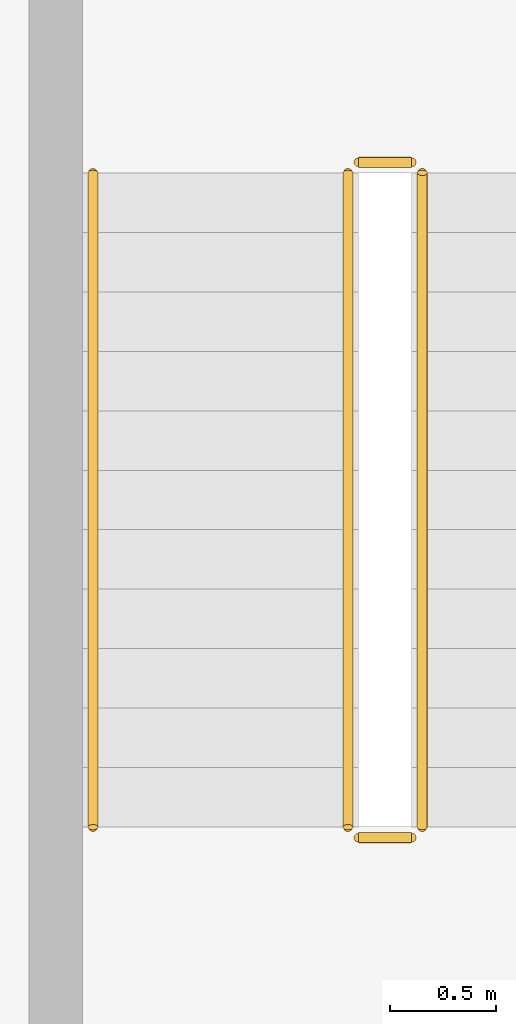
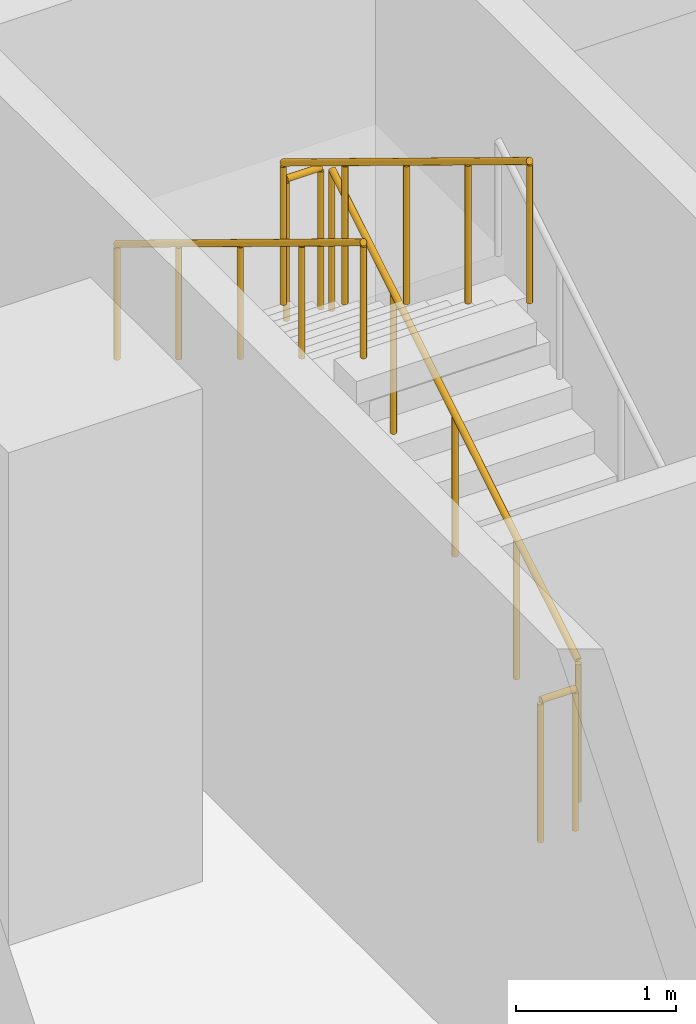
# One storey, part 26 of 29: 5 railings.
"""IFC4 building model written with IfcOpenShell, lengths in metres."""

import ifcopenshell
import ifcopenshell.guid

model = None  # the IFC model being written
_history = None  # IfcOwnerHistory: only IFC2X3 demands one
_inside = {}  # id of a spatial element -> (the spatial element, [elements in it])
_under = {}  # id of a project, library or spatial element -> (it, [spatial elements below it])
_declared = {}  # id of a project -> (the project, [libraries it declares])
_typed = {}  # id of a type object -> (the type object, [elements of that type])
_made_of = {}  # id of a material, layer set ... -> (it, [elements and type objects made of it])


def new_model(schema):
    """Start an empty IFC model of exactly this schema.

    Asked for "IFC4X3", IfcOpenShell would pick the latest addendum, in which some entities
    have other attributes; the version numbers below select the first issue.
    IFC2X3 requires an IfcOwnerHistory on every rooted entity: one is made here for all.
    """
    global model, _history
    if schema == "IFC4X3":
        model = ifcopenshell.file(schema_version=(4, 3, 0, 0))
    else:
        model = ifcopenshell.file(schema=schema)
    _inside.clear()
    _under.clear()
    _declared.clear()
    _typed.clear()
    _made_of.clear()
    _history = None
    if model.schema == "IFC2X3":
        org = make("IfcOrganization", Name="unknown")
        user = make(
            "IfcPersonAndOrganization",
            ThePerson=make("IfcPerson", FamilyName="unknown"),
            TheOrganization=org,
        )
        app = make(
            "IfcApplication",
            ApplicationDeveloper=org,
            Version="unknown",
            ApplicationFullName="unknown",
            ApplicationIdentifier="unknown",
        )
        _history = make(
            "IfcOwnerHistory",
            OwningUser=user,
            OwningApplication=app,
            ChangeAction="ADDED",
            CreationDate=0,
        )
    return model


def make(cls, **values):
    """One entity of the class cls with the attributes given. An attribute that is None is left unset."""
    return model.create_entity(
        cls, **{name: value for name, value in values.items() if value is not None}
    )


def rooted(cls, **values):
    """An entity with a GlobalId (a new one), such as an element, a storey or a relation."""
    return make(cls, GlobalId=ifcopenshell.guid.new(), OwnerHistory=_history, **values)


def si_unit(unit_type, name, prefix=None):
    """IfcSIUnit, for example si_unit("LENGTHUNIT", "METRE", prefix="MILLI")."""
    return make("IfcSIUnit", UnitType=unit_type, Prefix=prefix, Name=name)


def assignment(units):
    """IfcUnitAssignment: the units of a project."""
    return None if units is None else make("IfcUnitAssignment", Units=units)


def point(xyz):
    """IfcCartesianPoint."""
    return None if xyz is None else make("IfcCartesianPoint", Coordinates=xyz)


def direction(xyz):
    """IfcDirection."""
    return None if xyz is None else make("IfcDirection", DirectionRatios=xyz)


def frame(location, z_axis=None, x_axis=None):
    """IfcAxis2Placement3D, a coordinate frame: its origin and axes. An axis left out is left unset."""
    return make(
        "IfcAxis2Placement3D",
        Location=point(location),
        Axis=direction(z_axis),
        RefDirection=direction(x_axis),
    )


def frame_2d(location, x_axis=None):
    """IfcAxis2Placement2D, a coordinate frame in the plane: its origin and x axis."""
    return make(
        "IfcAxis2Placement2D", Location=point(location), RefDirection=direction(x_axis)
    )


def origin():
    """The frame at (0, 0, 0) with its axes left unset."""
    return frame((0.0, 0.0, 0.0))


def origin_2d():
    """The frame at (0, 0) in the plane with its x axis left unset."""
    return frame_2d((0.0, 0.0))


def place(relative_to, where):
    """IfcLocalPlacement: puts the frame where relative to a parent placement (None: the world)."""
    return make(
        "IfcLocalPlacement", PlacementRelTo=relative_to, RelativePlacement=where
    )


def context(
    kind, dimensions, precision=None, world=None, true_north=None, identifier=None
):
    """IfcGeometricRepresentationContext, for example the 3D "Model" context."""
    return make(
        "IfcGeometricRepresentationContext",
        ContextIdentifier=identifier,
        ContextType=kind,
        CoordinateSpaceDimension=dimensions,
        Precision=precision,
        WorldCoordinateSystem=world,
        TrueNorth=true_north,
    )


def subcontext(parent, identifier, kind, view, scale=None):
    """IfcGeometricRepresentationSubContext, for example "Body" below "Model"."""
    return make(
        "IfcGeometricRepresentationSubContext",
        ContextIdentifier=identifier,
        ContextType=kind,
        ParentContext=parent,
        TargetScale=scale,
        TargetView=view,
    )


def project(units=None, contexts=None):
    """IfcProject with its units and contexts."""
    return rooted(
        "IfcProject",
        Name="project",
        RepresentationContexts=contexts,
        UnitsInContext=assignment(units),
    )


def spatial(cls, under=None, at=None, **own):
    """A site, building, storey or space (cls), placed at a placement, below another one or the project."""
    s = rooted(cls, ObjectPlacement=at, **own)
    if under is not None:
        _under.setdefault(under.id(), (under, []))[1].append(s)
    return s


def profile(cls, at=None, kind="AREA", **sizes):
    """A parametric profile (cls). Its sizes go by their IFC names, for example OverallWidth=200.0."""
    return make(cls, ProfileType=kind, Position=at, **sizes)


def circle(**sizes):
    """IfcCircleProfileDef."""
    return profile("IfcCircleProfileDef", **sizes)


def extrude(swept, where, along, depth):
    """IfcExtrudedAreaSolid: the profile swept, set in the frame where, extruded along a direction by depth."""
    return make(
        "IfcExtrudedAreaSolid",
        SweptArea=swept,
        Position=where,
        ExtrudedDirection=direction(along),
        Depth=depth,
    )


def shape(context_of_items, identifier, shape_type, items):
    """IfcShapeRepresentation: the items that make up one representation, for example the "Body"."""
    return make(
        "IfcShapeRepresentation",
        ContextOfItems=context_of_items,
        RepresentationIdentifier=identifier,
        RepresentationType=shape_type,
        Items=items,
    )


def material(Name=None, Category=None):
    """IfcMaterial."""
    return make("IfcMaterial", Name=Name, Category=Category)


def made_of(thing, what):
    """Note that an element or type object is made of a material, layer set ...; save() writes the relation."""
    if what is not None:
        _made_of.setdefault(what.id(), (what, []))[1].append(thing)
    return thing


def type_object(cls, material=None, **own):
    """A type object (cls), such as IfcWallType, which elements share."""
    return made_of(rooted(cls, **own), material)


def element(
    cls,
    number,
    at=None,
    inside=None,
    cuts=None,
    type_object=None,
    material=None,
    context=None,
    identifier="Body",
    shape_type=None,
    held_by="IfcProductDefinitionShape",
    body=None,
    shapes=None,
    **own,
):
    """One element of the class cls, such as IfcWall. Its Tag is "e" and its number.

    at: its placement. inside: the storey or other place that contains it. cuts: it is an
    opening in that element (IfcRelVoidsElement). A single representation is given by context,
    identifier, shape_type and body (its items); several are given by shapes. held_by: the class
    of the entity that holds the representations. save() writes the other relations.
    """
    e = rooted(cls, Tag="e%d" % number, ObjectPlacement=at, **own)
    if body is not None:
        shapes = [shape(context, identifier, shape_type, body)]
    if shapes is not None:
        e.Representation = make(held_by, Representations=shapes)
    if inside is not None:
        _inside.setdefault(inside.id(), (inside, []))[1].append(e)
    if cuts is not None:
        rooted(
            "IfcRelVoidsElement", RelatingBuildingElement=cuts, RelatedOpeningElement=e
        )
    if type_object is not None:
        _typed.setdefault(type_object.id(), (type_object, []))[1].append(e)
    return made_of(e, material)


def aggregate(whole, parts):
    """IfcRelAggregates: a whole, such as a stair, and the parts it consists of."""
    return rooted("IfcRelAggregates", RelatingObject=whole, RelatedObjects=parts)


def save(model, path):
    """Write the relations noted so far, then the file.

    IfcRelAggregates (storeys below a building ...), IfcRelContainedInSpatialStructure (elements
    in a storey), IfcRelDefinesByType, IfcRelAssociatesMaterial and IfcRelDeclares: one each for
    every whole, place, type object, material and project.
    """
    for whole, parts in _under.values():
        aggregate(whole, parts)
    for where, things in _inside.values():
        rooted(
            "IfcRelContainedInSpatialStructure",
            RelatedElements=things,
            RelatingStructure=where,
        )
    for kind, things in _typed.values():
        rooted("IfcRelDefinesByType", RelatedObjects=things, RelatingType=kind)
    for what, things in _made_of.values():
        rooted("IfcRelAssociatesMaterial", RelatedObjects=things, RelatingMaterial=what)
    for by, libraries in _declared.values():
        rooted("IfcRelDeclares", RelatingContext=by, RelatedDefinitions=libraries)
    model.write(path)


model = new_model("IFC4")

# Units and contexts
model_context = context("Model", 3, precision=1e-05, world=origin(), true_north=direction((0.0, 1.0)))
body_context = subcontext(model_context, "Body", "Model", "MODEL_VIEW")
ifc_project = project(units=[si_unit("LENGTHUNIT", "METRE"), si_unit("AREAUNIT", "SQUARE_METRE"), si_unit("VOLUMEUNIT", "CUBIC_METRE"), si_unit("PLANEANGLEUNIT", "RADIAN"), si_unit("MASSUNIT", "GRAM", prefix="KILO")], contexts=[model_context])

# Site, building, storey
site_placement = place(None, origin())
site = spatial("IfcSite", under=ifc_project, at=site_placement, CompositionType="ELEMENT")
building_placement = place(site_placement, origin())
building = spatial("IfcBuilding", under=site, at=building_placement, Name="Mahtab Terrace Research Tower", CompositionType="ELEMENT")
storey_placement = place(building_placement, frame((0.0, 0.0, 97.10009765625)))
storey = spatial("IfcBuildingStorey", under=building, at=storey_placement, Name="L22", CompositionType="ELEMENT", Elevation=97.10009765625)

# Railings
ifc_material = material(Name="Stainless steel AISI 304", Category="steel")
railing_type_1 = type_object("IfcRailingType", Name="Stair guard 1100", PredefinedType="GUARDRAIL", material=ifc_material)
railing_1_placement = place(storey_placement, frame((21.050048828125, 10.175048828125, 0.170654296875)))
element("IfcRailing", 1, at=railing_1_placement, inside=storey, type_object=railing_type_1, Name="L22 ST3 stair guard 1", PredefinedType="GUARDRAIL", context=body_context, shape_type="SweptSolid", body=[
    extrude(circle(Radius=0.02392578125, at=origin_2d()), frame((0.0, 0.0, 1.076171875), z_axis=(0.0, 0.853647949592, 0.520850437417), x_axis=(-1.0, 0.0, 0.0)), (0.0, 0.0, 1.0), 3.60791015625),
    extrude(circle(Radius=0.02099609375, at=origin_2d()), origin(), (0.0, 0.0, 1.0), 1.052001953125),
    extrude(circle(Radius=0.02099609375, at=origin_2d()), frame((0.0, 0.77001953125, 0.4697265625)), (0.0, 0.0, 1.0), 1.052001953125),
    extrude(circle(Radius=0.02099609375, at=origin_2d()), frame((0.0, 1.5400390625, 0.939453125)), (0.0, 0.0, 1.0), 1.052001953125),
    extrude(circle(Radius=0.02099609375, at=origin_2d()), frame((0.0, 2.309814453125, 1.409423828125)), (0.0, 0.0, 1.0), 1.052001953125),
    extrude(circle(Radius=0.02099609375, at=origin_2d()), frame((0.0, 3.079833984375, 1.879150390625)), (0.0, 0.0, 1.0), 1.052001953125),
])
railing_2_placement = place(storey_placement, frame((21.0, 13.304931640625, 2.0498046875)))
element("IfcRailing", 2, at=railing_2_placement, inside=storey, type_object=railing_type_1, Name="L22 ST3 stair guard 2", PredefinedType="GUARDRAIL", context=body_context, shape_type="SweptSolid", body=[
    extrude(circle(Radius=0.02392578125, at=origin_2d()), frame((0.0, 0.0, 1.076171875), z_axis=(-1.0, 0.0, 0.0), x_axis=(0.0, -1.0, 0.0)), (0.0, 0.0, 1.0), 0.25),
    extrude(circle(Radius=0.02099609375, at=origin_2d()), origin(), (0.0, 0.0, 1.0), 1.052001953125),
    extrude(circle(Radius=0.02099609375, at=origin_2d()), frame((-0.25, 0.0, 0.0)), (0.0, 0.0, 1.0), 1.052001953125),
])
railing_3_placement = place(storey_placement, frame((20.699951171875, 13.2548828125, 2.220703125)))
element("IfcRailing", 3, at=railing_3_placement, inside=storey, type_object=railing_type_1, Name="L22 ST3 stair guard 3", PredefinedType="GUARDRAIL", context=body_context, shape_type="SweptSolid", body=[
    extrude(circle(Radius=0.02392578125, at=origin_2d()), frame((0.0, 0.0, 1.076171875), z_axis=(0.0, -0.853647949592, 0.520850437417), x_axis=(1.0, 0.0, 0.0)), (0.0, 0.0, 1.0), 3.60791015625),
    extrude(circle(Radius=0.02099609375, at=origin_2d()), origin(), (0.0, 0.0, 1.0), 1.052001953125),
    extrude(circle(Radius=0.02099609375, at=origin_2d()), frame((0.0, -0.77001953125, 0.4697265625)), (0.0, 0.0, 1.0), 1.052001953125),
    extrude(circle(Radius=0.02099609375, at=origin_2d()), frame((0.0, -1.5400390625, 0.939453125)), (0.0, 0.0, 1.0), 1.052001953125),
    extrude(circle(Radius=0.02099609375, at=origin_2d()), frame((0.0, -2.309814453125, 1.409423828125)), (0.0, 0.0, 1.0), 1.052001953125),
    extrude(circle(Radius=0.02099609375, at=origin_2d()), frame((0.0, -3.079833984375, 1.879150390625)), (0.0, 0.0, 1.0), 1.052001953125),
])
railing_4_placement = place(storey_placement, frame((21.0, 10.125, 0.0)))
element("IfcRailing", 4, at=railing_4_placement, inside=storey, type_object=railing_type_1, Name="L22 ST3 stair guard 4", PredefinedType="GUARDRAIL", context=body_context, shape_type="SweptSolid", body=[
    extrude(circle(Radius=0.02392578125, at=origin_2d()), frame((0.0, 0.0, 1.076171875), z_axis=(-1.0, 0.0, 0.0), x_axis=(0.0, -1.0, 0.0)), (0.0, 0.0, 1.0), 0.25),
    extrude(circle(Radius=0.02099609375, at=origin_2d()), origin(), (0.0, 0.0, 1.0), 1.052001953125),
    extrude(circle(Radius=0.02099609375, at=origin_2d()), frame((-0.25, 0.0, 0.0)), (0.0, 0.0, 1.0), 1.052001953125),
])
railing_type_2 = type_object("IfcRailingType", Name="Stair handrail 900", PredefinedType="HANDRAIL", material=ifc_material)
railing_5_placement = place(storey_placement, frame((19.5, 13.2548828125, 2.220703125)))
element("IfcRailing", 5, at=railing_5_placement, inside=storey, type_object=railing_type_2, Name="L22 ST3 stair handrail 2", PredefinedType="HANDRAIL", context=body_context, shape_type="SweptSolid", body=[
    extrude(circle(Radius=0.02392578125, at=origin_2d()), frame((0.0, 0.0, 0.8759765625), z_axis=(0.0, -0.853647949592, 0.520850437417), x_axis=(1.0, 0.0, 0.0)), (0.0, 0.0, 1.0), 3.60791015625),
    extrude(circle(Radius=0.02099609375, at=origin_2d()), origin(), (0.0, 0.0, 1.0), 0.851806640625),
    extrude(circle(Radius=0.02099609375, at=origin_2d()), frame((0.0, -0.77001953125, 0.4697265625)), (0.0, 0.0, 1.0), 0.851806640625),
    extrude(circle(Radius=0.02099609375, at=origin_2d()), frame((0.0, -1.5400390625, 0.939453125)), (0.0, 0.0, 1.0), 0.851806640625),
    extrude(circle(Radius=0.02099609375, at=origin_2d()), frame((0.0, -2.309814453125, 1.409423828125)), (0.0, 0.0, 1.0), 0.851806640625),
    extrude(circle(Radius=0.02099609375, at=origin_2d()), frame((0.0, -3.079833984375, 1.879150390625)), (0.0, 0.0, 1.0), 0.851806640625),
])

save(model, "model.ifc")
